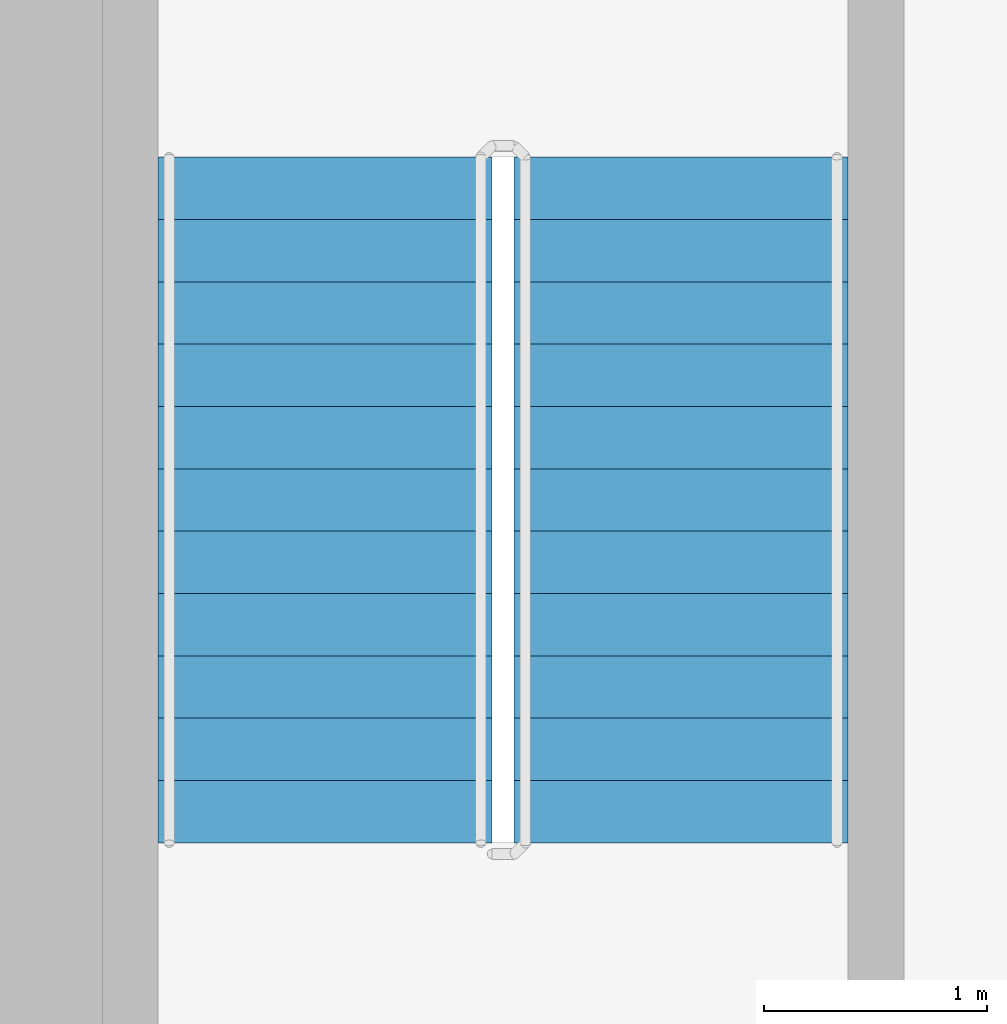
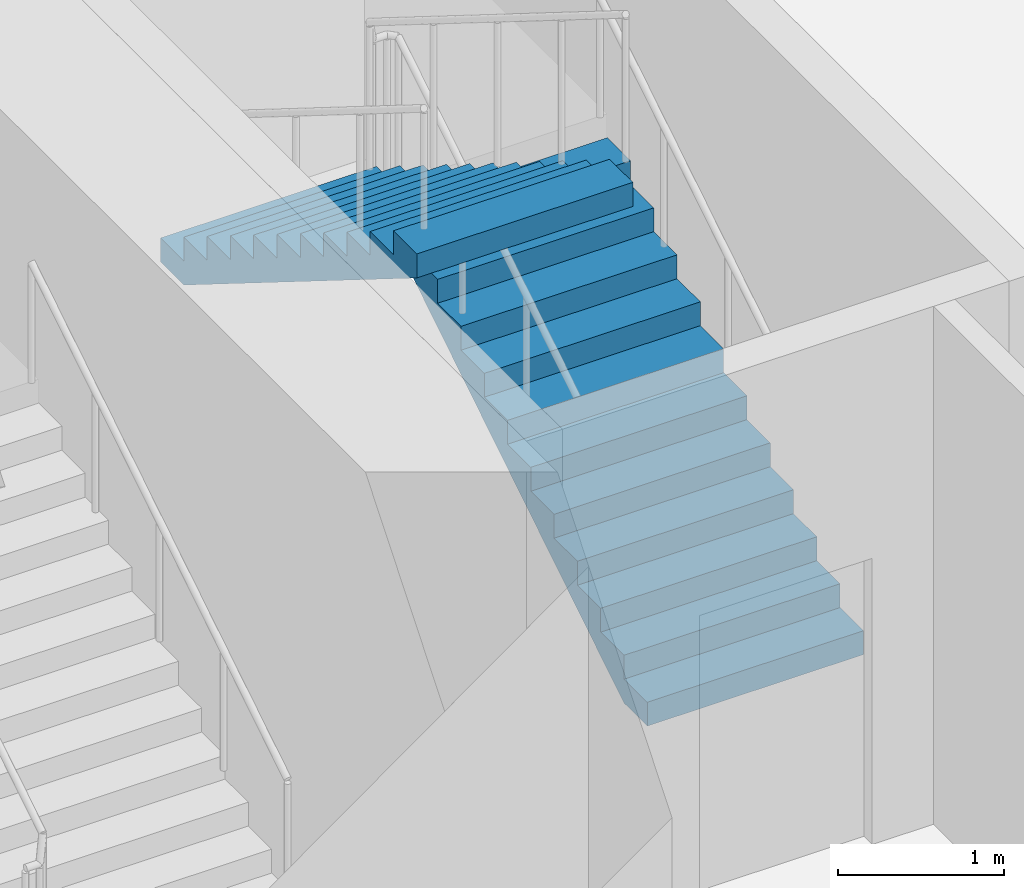
# One storey, part 7 of 10: 2 stair flights, 1 element without a shape of its own.
"""IFC4 building model written with IfcOpenShell, lengths in metres."""

from ifc_helpers import new_model, si_unit, direction, frame, origin, place, context, subcontext, project, spatial, triangles, source, transform, mapped, material, type_object, element, aggregate, save


model = new_model("IFC4")

# Units and contexts
model_context = context("Model", 3, precision=1e-05, world=origin(), true_north=direction((0.0, 1.0)))
body_context = subcontext(model_context, "Body", "Model", "MODEL_VIEW")
ifc_project = project(units=[si_unit("LENGTHUNIT", "METRE"), si_unit("AREAUNIT", "SQUARE_METRE"), si_unit("VOLUMEUNIT", "CUBIC_METRE"), si_unit("PLANEANGLEUNIT", "RADIAN"), si_unit("MASSUNIT", "GRAM", prefix="KILO")], contexts=[model_context])

# Site, building, storey
site_placement = place(None, origin())
site = spatial("IfcSite", under=ifc_project, at=site_placement, CompositionType="ELEMENT")
building_placement = place(site_placement, origin())
building = spatial("IfcBuilding", under=site, at=building_placement, Name="Kilnfold Tower and Market Hall", CompositionType="ELEMENT")
storey_placement = place(building_placement, frame((0.0, 0.0, 59.0)))
storey = spatial("IfcBuildingStorey", under=building, at=storey_placement, Name="L13 Plant Transfer Level", CompositionType="ELEMENT", Elevation=59.0)

# Stair, stair flights
ifc_material_1 = material(Name="Concrete C40/50", Category="concrete")
stair_type = type_object("IfcStairType", Name="CORE STAIR 1500", PredefinedType="HALF_TURN_STAIR", material=ifc_material_1)
stair_placement = place(storey_placement, origin())
stair = element("IfcStair", 1, at=stair_placement, inside=storey, type_object=stair_type, Name="L13 Plant Transfer Level ST5", PredefinedType="HALF_TURN_STAIR")
ifc_material_2 = material(Name="Concrete C40/50", Category="concrete")
stair_flight_type = type_object("IfcStairFlightType", Name="CORE STAIR FLIGHT 1500", PredefinedType="STRAIGHT", material=ifc_material_2)
shared_shape = source(origin(), body_context, "Body", "Tessellation", [
    triangles([(0.0, 0.75, 0.0), (0.0, 0.65625, 0.0), (0.0, 0.5625, 0.0), (0.0, 0.46875, 0.0), (0.0, 0.375, 0.0), (0.0, 0.28125, 0.0), (0.0, 0.1875, 0.0), (0.0, 0.09375, 0.0), (0.0, 0.0, 0.0), (0.0, -0.09375, 0.0), (0.0, -0.1875, 0.0), (0.0, -0.28125, 0.0), (0.0, -0.375, 0.0), (0.0, -0.46875, 0.0), (0.0, -0.5625, 0.0), (0.0, -0.65625, 0.0), (0.0, -0.75, 0.0), (0.0, 0.75, 0.175048828125), (0.0, 0.65625, 0.175048828125), (0.0, 0.5625, 0.175048828125), (0.0, 0.46875, 0.175048828125), (0.0, 0.375, 0.175048828125), (0.0, 0.28125, 0.175048828125), (0.0, 0.1875, 0.175048828125), (0.0, 0.09375, 0.175048828125), (0.0, 0.0, 0.175048828125), (0.0, -0.09375, 0.175048828125), (0.0, -0.1875, 0.175048828125), (0.0, -0.28125, 0.175048828125), (0.0, -0.375, 0.175048828125), (0.0, -0.46875, 0.175048828125), (0.0, -0.5625, 0.175048828125), (0.0, -0.65625, 0.175048828125), (0.0, -0.75, 0.175048828125), (0.280029296875, 0.75, 0.175048828125), (0.280029296875, 0.65625, 0.175048828125), (0.280029296875, 0.5625, 0.175048828125), (0.280029296875, 0.46875, 0.175048828125), (0.280029296875, 0.375, 0.175048828125), (0.280029296875, 0.28125, 0.175048828125), (0.280029296875, 0.1875, 0.175048828125), (0.280029296875, 0.09375, 0.175048828125), (0.280029296875, 0.0, 0.175048828125), (0.280029296875, -0.09375, 0.175048828125), (0.280029296875, -0.1875, 0.175048828125), (0.280029296875, -0.28125, 0.175048828125), (0.280029296875, -0.375, 0.175048828125), (0.280029296875, -0.46875, 0.175048828125), (0.280029296875, -0.5625, 0.175048828125), (0.280029296875, -0.65625, 0.175048828125), (0.280029296875, -0.75, 0.175048828125), (0.280029296875, 0.75, 0.35009765625), (0.280029296875, 0.65625, 0.35009765625), (0.280029296875, 0.5625, 0.35009765625), (0.280029296875, 0.46875, 0.35009765625), (0.280029296875, 0.375, 0.35009765625), (0.280029296875, 0.28125, 0.35009765625), (0.280029296875, 0.1875, 0.35009765625), (0.280029296875, 0.09375, 0.35009765625), (0.280029296875, 0.0, 0.35009765625), (0.280029296875, -0.09375, 0.35009765625), (0.280029296875, -0.1875, 0.35009765625), (0.280029296875, -0.28125, 0.35009765625), (0.280029296875, -0.375, 0.35009765625), (0.280029296875, -0.46875, 0.35009765625), (0.280029296875, -0.5625, 0.35009765625), (0.280029296875, -0.65625, 0.35009765625), (0.280029296875, -0.75, 0.35009765625), (0.56005859375, 0.75, 0.35009765625), (0.56005859375, 0.65625, 0.35009765625), (0.56005859375, 0.5625, 0.35009765625), (0.56005859375, 0.46875, 0.35009765625), (0.56005859375, 0.375, 0.35009765625), (0.56005859375, 0.28125, 0.35009765625), (0.56005859375, 0.1875, 0.35009765625), (0.56005859375, 0.09375, 0.35009765625), (0.56005859375, 0.0, 0.35009765625), (0.56005859375, -0.09375, 0.35009765625), (0.56005859375, -0.1875, 0.35009765625), (0.56005859375, -0.28125, 0.35009765625), (0.56005859375, -0.375, 0.35009765625), (0.56005859375, -0.46875, 0.35009765625), (0.56005859375, -0.5625, 0.35009765625), (0.56005859375, -0.65625, 0.35009765625), (0.56005859375, -0.75, 0.35009765625), (0.56005859375, 0.75, 0.52490234375), (0.56005859375, 0.65625, 0.52490234375), (0.56005859375, 0.5625, 0.52490234375), (0.56005859375, 0.46875, 0.52490234375), (0.56005859375, 0.375, 0.52490234375), (0.56005859375, 0.28125, 0.52490234375), (0.56005859375, 0.1875, 0.52490234375), (0.56005859375, 0.09375, 0.52490234375), (0.56005859375, 0.0, 0.52490234375), (0.56005859375, -0.09375, 0.52490234375), (0.56005859375, -0.1875, 0.52490234375), (0.56005859375, -0.28125, 0.52490234375), (0.56005859375, -0.375, 0.52490234375), (0.56005859375, -0.46875, 0.52490234375), (0.56005859375, -0.5625, 0.52490234375), (0.56005859375, -0.65625, 0.52490234375), (0.56005859375, -0.75, 0.52490234375), (0.840087890625, 0.75, 0.52490234375), (0.840087890625, 0.65625, 0.52490234375), (0.840087890625, 0.5625, 0.52490234375), (0.840087890625, 0.46875, 0.52490234375), (0.840087890625, 0.375, 0.52490234375), (0.840087890625, 0.28125, 0.52490234375), (0.840087890625, 0.1875, 0.52490234375), (0.840087890625, 0.09375, 0.52490234375), (0.840087890625, 0.0, 0.52490234375), (0.840087890625, -0.09375, 0.52490234375), (0.840087890625, -0.1875, 0.52490234375), (0.840087890625, -0.28125, 0.52490234375), (0.840087890625, -0.375, 0.52490234375), (0.840087890625, -0.46875, 0.52490234375), (0.840087890625, -0.5625, 0.52490234375), (0.840087890625, -0.65625, 0.52490234375), (0.840087890625, -0.75, 0.52490234375), (0.840087890625, 0.75, 0.699951171875), (0.840087890625, 0.65625, 0.699951171875), (0.840087890625, 0.5625, 0.699951171875), (0.840087890625, 0.46875, 0.699951171875), (0.840087890625, 0.375, 0.699951171875), (0.840087890625, 0.28125, 0.699951171875), (0.840087890625, 0.1875, 0.699951171875), (0.840087890625, 0.09375, 0.699951171875), (0.840087890625, 0.0, 0.699951171875), (0.840087890625, -0.09375, 0.699951171875), (0.840087890625, -0.1875, 0.699951171875), (0.840087890625, -0.28125, 0.699951171875), (0.840087890625, -0.375, 0.699951171875), (0.840087890625, -0.46875, 0.699951171875), (0.840087890625, -0.5625, 0.699951171875), (0.840087890625, -0.65625, 0.699951171875), (0.840087890625, -0.75, 0.699951171875), (1.1201171875, 0.75, 0.699951171875), (1.1201171875, 0.65625, 0.699951171875), (1.1201171875, 0.5625, 0.699951171875), (1.1201171875, 0.46875, 0.699951171875), (1.1201171875, 0.375, 0.699951171875), (1.1201171875, 0.28125, 0.699951171875), (1.1201171875, 0.1875, 0.699951171875), (1.1201171875, 0.09375, 0.699951171875), (1.1201171875, 0.0, 0.699951171875), (1.1201171875, -0.09375, 0.699951171875), (1.1201171875, -0.1875, 0.699951171875), (1.1201171875, -0.28125, 0.699951171875), (1.1201171875, -0.375, 0.699951171875), (1.1201171875, -0.46875, 0.699951171875), (1.1201171875, -0.5625, 0.699951171875), (1.1201171875, -0.65625, 0.699951171875), (1.1201171875, -0.75, 0.699951171875), (1.1201171875, 0.75, 0.875), (1.1201171875, 0.65625, 0.875), (1.1201171875, 0.5625, 0.875), (1.1201171875, 0.46875, 0.875), (1.1201171875, 0.375, 0.875), (1.1201171875, 0.28125, 0.875), (1.1201171875, 0.1875, 0.875), (1.1201171875, 0.09375, 0.875), (1.1201171875, 0.0, 0.875), (1.1201171875, -0.09375, 0.875), (1.1201171875, -0.1875, 0.875), (1.1201171875, -0.28125, 0.875), (1.1201171875, -0.375, 0.875), (1.1201171875, -0.46875, 0.875), (1.1201171875, -0.5625, 0.875), (1.1201171875, -0.65625, 0.875), (1.1201171875, -0.75, 0.875), (1.39990234375, 0.75, 0.875), (1.39990234375, 0.65625, 0.875), (1.39990234375, 0.5625, 0.875), (1.39990234375, 0.46875, 0.875), (1.39990234375, 0.375, 0.875), (1.39990234375, 0.28125, 0.875), (1.39990234375, 0.1875, 0.875), (1.39990234375, 0.09375, 0.875), (1.39990234375, 0.0, 0.875), (1.39990234375, -0.09375, 0.875), (1.39990234375, -0.1875, 0.875), (1.39990234375, -0.28125, 0.875), (1.39990234375, -0.375, 0.875), (1.39990234375, -0.46875, 0.875), (1.39990234375, -0.5625, 0.875), (1.39990234375, -0.65625, 0.875), (1.39990234375, -0.75, 0.875), (1.39990234375, 0.75, 1.050048828125), (1.39990234375, 0.65625, 1.050048828125), (1.39990234375, 0.5625, 1.050048828125), (1.39990234375, 0.46875, 1.050048828125), (1.39990234375, 0.375, 1.050048828125), (1.39990234375, 0.28125, 1.050048828125), (1.39990234375, 0.1875, 1.050048828125), (1.39990234375, 0.09375, 1.050048828125), (1.39990234375, 0.0, 1.050048828125), (1.39990234375, -0.09375, 1.050048828125), (1.39990234375, -0.1875, 1.050048828125), (1.39990234375, -0.28125, 1.050048828125), (1.39990234375, -0.375, 1.050048828125), (1.39990234375, -0.46875, 1.050048828125), (1.39990234375, -0.5625, 1.050048828125), (1.39990234375, -0.65625, 1.050048828125), (1.39990234375, -0.75, 1.050048828125), (1.679931640625, 0.75, 1.050048828125), (1.679931640625, 0.65625, 1.050048828125), (1.679931640625, 0.5625, 1.050048828125), (1.679931640625, 0.46875, 1.050048828125), (1.679931640625, 0.375, 1.050048828125), (1.679931640625, 0.28125, 1.050048828125), (1.679931640625, 0.1875, 1.050048828125), (1.679931640625, 0.09375, 1.050048828125), (1.679931640625, 0.0, 1.050048828125), (1.679931640625, -0.09375, 1.050048828125), (1.679931640625, -0.1875, 1.050048828125), (1.679931640625, -0.28125, 1.050048828125), (1.679931640625, -0.375, 1.050048828125), (1.679931640625, -0.46875, 1.050048828125), (1.679931640625, -0.5625, 1.050048828125), (1.679931640625, -0.65625, 1.050048828125), (1.679931640625, -0.75, 1.050048828125), (1.679931640625, 0.75, 1.22509765625), (1.679931640625, 0.65625, 1.22509765625), (1.679931640625, 0.5625, 1.22509765625), (1.679931640625, 0.46875, 1.22509765625), (1.679931640625, 0.375, 1.22509765625), (1.679931640625, 0.28125, 1.22509765625), (1.679931640625, 0.1875, 1.22509765625), (1.679931640625, 0.09375, 1.22509765625), (1.679931640625, 0.0, 1.22509765625), (1.679931640625, -0.09375, 1.22509765625), (1.679931640625, -0.1875, 1.22509765625), (1.679931640625, -0.28125, 1.22509765625), (1.679931640625, -0.375, 1.22509765625), (1.679931640625, -0.46875, 1.22509765625), (1.679931640625, -0.5625, 1.22509765625), (1.679931640625, -0.65625, 1.22509765625), (1.679931640625, -0.75, 1.22509765625), (1.9599609375, 0.75, 1.22509765625), (1.9599609375, 0.65625, 1.22509765625), (1.9599609375, 0.5625, 1.22509765625), (1.9599609375, 0.46875, 1.22509765625), (1.9599609375, 0.375, 1.22509765625), (1.9599609375, 0.28125, 1.22509765625), (1.9599609375, 0.1875, 1.22509765625), (1.9599609375, 0.09375, 1.22509765625), (1.9599609375, 0.0, 1.22509765625), (1.9599609375, -0.09375, 1.22509765625), (1.9599609375, -0.1875, 1.22509765625), (1.9599609375, -0.28125, 1.22509765625), (1.9599609375, -0.375, 1.22509765625), (1.9599609375, -0.46875, 1.22509765625), (1.9599609375, -0.5625, 1.22509765625), (1.9599609375, -0.65625, 1.22509765625), (1.9599609375, -0.75, 1.22509765625), (1.9599609375, 0.75, 1.39990234375), (1.9599609375, 0.65625, 1.39990234375), (1.9599609375, 0.5625, 1.39990234375), (1.9599609375, 0.46875, 1.39990234375), (1.9599609375, 0.375, 1.39990234375), (1.9599609375, 0.28125, 1.39990234375), (1.9599609375, 0.1875, 1.39990234375), (1.9599609375, 0.09375, 1.39990234375), (1.9599609375, 0.0, 1.39990234375), (1.9599609375, -0.09375, 1.39990234375), (1.9599609375, -0.1875, 1.39990234375), (1.9599609375, -0.28125, 1.39990234375), (1.9599609375, -0.375, 1.39990234375), (1.9599609375, -0.46875, 1.39990234375), (1.9599609375, -0.5625, 1.39990234375), (1.9599609375, -0.65625, 1.39990234375), (1.9599609375, -0.75, 1.39990234375), (2.239990234375, 0.75, 1.39990234375), (2.239990234375, 0.65625, 1.39990234375), (2.239990234375, 0.5625, 1.39990234375), (2.239990234375, 0.46875, 1.39990234375), (2.239990234375, 0.375, 1.39990234375), (2.239990234375, 0.28125, 1.39990234375), (2.239990234375, 0.1875, 1.39990234375), (2.239990234375, 0.09375, 1.39990234375), (2.239990234375, 0.0, 1.39990234375), (2.239990234375, -0.09375, 1.39990234375), (2.239990234375, -0.1875, 1.39990234375), (2.239990234375, -0.28125, 1.39990234375), (2.239990234375, -0.375, 1.39990234375), (2.239990234375, -0.46875, 1.39990234375), (2.239990234375, -0.5625, 1.39990234375), (2.239990234375, -0.65625, 1.39990234375), (2.239990234375, -0.75, 1.39990234375), (2.239990234375, 0.75, 1.574951171875), (2.239990234375, 0.65625, 1.574951171875), (2.239990234375, 0.5625, 1.574951171875), (2.239990234375, 0.46875, 1.574951171875), (2.239990234375, 0.375, 1.574951171875), (2.239990234375, 0.28125, 1.574951171875), (2.239990234375, 0.1875, 1.574951171875), (2.239990234375, 0.09375, 1.574951171875), (2.239990234375, 0.0, 1.574951171875), (2.239990234375, -0.09375, 1.574951171875), (2.239990234375, -0.1875, 1.574951171875), (2.239990234375, -0.28125, 1.574951171875), (2.239990234375, -0.375, 1.574951171875), (2.239990234375, -0.46875, 1.574951171875), (2.239990234375, -0.5625, 1.574951171875), (2.239990234375, -0.65625, 1.574951171875), (2.239990234375, -0.75, 1.574951171875), (2.52001953125, 0.75, 1.574951171875), (2.52001953125, 0.65625, 1.574951171875), (2.52001953125, 0.5625, 1.574951171875), (2.52001953125, 0.46875, 1.574951171875), (2.52001953125, 0.375, 1.574951171875), (2.52001953125, 0.28125, 1.574951171875), (2.52001953125, 0.1875, 1.574951171875), (2.52001953125, 0.09375, 1.574951171875), (2.52001953125, 0.0, 1.574951171875), (2.52001953125, -0.09375, 1.574951171875), (2.52001953125, -0.1875, 1.574951171875), (2.52001953125, -0.28125, 1.574951171875), (2.52001953125, -0.375, 1.574951171875), (2.52001953125, -0.46875, 1.574951171875), (2.52001953125, -0.5625, 1.574951171875), (2.52001953125, -0.65625, 1.574951171875), (2.52001953125, -0.75, 1.574951171875), (2.52001953125, 0.75, 1.75), (2.52001953125, 0.65625, 1.75), (2.52001953125, 0.5625, 1.75), (2.52001953125, 0.46875, 1.75), (2.52001953125, 0.375, 1.75), (2.52001953125, 0.28125, 1.75), (2.52001953125, 0.1875, 1.75), (2.52001953125, 0.09375, 1.75), (2.52001953125, 0.0, 1.75), (2.52001953125, -0.09375, 1.75), (2.52001953125, -0.1875, 1.75), (2.52001953125, -0.28125, 1.75), (2.52001953125, -0.375, 1.75), (2.52001953125, -0.46875, 1.75), (2.52001953125, -0.5625, 1.75), (2.52001953125, -0.65625, 1.75), (2.52001953125, -0.75, 1.75), (2.800048828125, 0.75, 1.75), (2.800048828125, 0.65625, 1.75), (2.800048828125, 0.5625, 1.75), (2.800048828125, 0.46875, 1.75), (2.800048828125, 0.375, 1.75), (2.800048828125, 0.28125, 1.75), (2.800048828125, 0.1875, 1.75), (2.800048828125, 0.09375, 1.75), (2.800048828125, 0.0, 1.75), (2.800048828125, -0.09375, 1.75), (2.800048828125, -0.1875, 1.75), (2.800048828125, -0.28125, 1.75), (2.800048828125, -0.375, 1.75), (2.800048828125, -0.46875, 1.75), (2.800048828125, -0.5625, 1.75), (2.800048828125, -0.65625, 1.75), (2.800048828125, -0.75, 1.75), (2.800048828125, 0.75, 1.925048828125), (2.800048828125, 0.65625, 1.925048828125), (2.800048828125, 0.5625, 1.925048828125), (2.800048828125, 0.46875, 1.925048828125), (2.800048828125, 0.375, 1.925048828125), (2.800048828125, 0.28125, 1.925048828125), (2.800048828125, 0.1875, 1.925048828125), (2.800048828125, 0.09375, 1.925048828125), (2.800048828125, 0.0, 1.925048828125), (2.800048828125, -0.09375, 1.925048828125), (2.800048828125, -0.1875, 1.925048828125), (2.800048828125, -0.28125, 1.925048828125), (2.800048828125, -0.375, 1.925048828125), (2.800048828125, -0.46875, 1.925048828125), (2.800048828125, -0.5625, 1.925048828125), (2.800048828125, -0.65625, 1.925048828125), (2.800048828125, -0.75, 1.925048828125), (3.080078125, 0.75, 1.925048828125), (3.080078125, 0.65625, 1.925048828125), (3.080078125, 0.5625, 1.925048828125), (3.080078125, 0.46875, 1.925048828125), (3.080078125, 0.375, 1.925048828125), (3.080078125, 0.28125, 1.925048828125), (3.080078125, 0.1875, 1.925048828125), (3.080078125, 0.09375, 1.925048828125), (3.080078125, 0.0, 1.925048828125), (3.080078125, -0.09375, 1.925048828125), (3.080078125, -0.1875, 1.925048828125), (3.080078125, -0.28125, 1.925048828125), (3.080078125, -0.375, 1.925048828125), (3.080078125, -0.46875, 1.925048828125), (3.080078125, -0.5625, 1.925048828125), (3.080078125, -0.65625, 1.925048828125), (3.080078125, -0.75, 1.925048828125), (3.080078125, 0.75, 1.748291015625), (3.080078125, 0.65625, 1.748291015625), (3.080078125, 0.5625, 1.748291015625), (3.080078125, 0.46875, 1.748291015625), (3.080078125, 0.375, 1.748291015625), (3.080078125, 0.28125, 1.748291015625), (3.080078125, 0.1875, 1.748291015625), (3.080078125, 0.09375, 1.748291015625), (3.080078125, 0.0, 1.748291015625), (3.080078125, -0.09375, 1.748291015625), (3.080078125, -0.1875, 1.748291015625), (3.080078125, -0.28125, 1.748291015625), (3.080078125, -0.375, 1.748291015625), (3.080078125, -0.46875, 1.748291015625), (3.080078125, -0.5625, 1.748291015625), (3.080078125, -0.65625, 1.748291015625), (3.080078125, -0.75, 1.748291015625), (0.28271484375, 0.75, 0.0), (0.28271484375, 0.65625, 0.0), (0.28271484375, 0.5625, 0.0), (0.28271484375, 0.46875, 0.0), (0.28271484375, 0.375, 0.0), (0.28271484375, 0.28125, 0.0), (0.28271484375, 0.1875, 0.0), (0.28271484375, 0.09375, 0.0), (0.28271484375, 0.0, 0.0), (0.28271484375, -0.09375, 0.0), (0.28271484375, -0.1875, 0.0), (0.28271484375, -0.28125, 0.0), (0.28271484375, -0.375, 0.0), (0.28271484375, -0.46875, 0.0), (0.28271484375, -0.5625, 0.0), (0.28271484375, -0.65625, 0.0), (0.28271484375, -0.75, 0.0)], [[1, 392, 409], [17, 425, 408], [392, 358, 375], [408, 391, 374], [392, 341, 358], [408, 374, 357], [392, 324, 341], [408, 357, 340], [392, 307, 324], [408, 340, 323], [307, 273, 290], [323, 306, 289], [392, 273, 307], [408, 323, 289], [273, 239, 256], [289, 272, 255], [392, 239, 273], [408, 289, 255], [239, 205, 222], [255, 238, 221], [392, 205, 239], [408, 255, 221], [205, 171, 188], [221, 204, 187], [392, 171, 205], [408, 221, 187], [171, 137, 154], [187, 170, 153], [392, 137, 171], [408, 187, 153], [137, 103, 120], [153, 136, 119], [392, 103, 137], [408, 153, 119], [1, 103, 392], [17, 408, 119], [103, 69, 86], [119, 102, 85], [69, 35, 52], [85, 68, 51], [103, 35, 69], [119, 85, 51], [1, 35, 103], [17, 119, 51], [35, 1, 18], [51, 34, 17], [1, 19, 18], [1, 2, 19], [2, 20, 19], [2, 3, 20], [3, 21, 20], [3, 4, 21], [4, 22, 21], [4, 5, 22], [5, 23, 22], [5, 6, 23], [6, 24, 23], [6, 7, 24], [7, 25, 24], [7, 8, 25], [8, 26, 25], [8, 9, 26], [9, 27, 26], [9, 10, 27], [10, 28, 27], [10, 11, 28], [11, 29, 28], [11, 12, 29], [12, 30, 29], [12, 13, 30], [13, 31, 30], [13, 14, 31], [14, 32, 31], [14, 15, 32], [15, 33, 32], [15, 16, 33], [16, 34, 33], [16, 17, 34], [18, 36, 35], [18, 19, 36], [19, 37, 36], [19, 20, 37], [20, 38, 37], [20, 21, 38], [21, 39, 38], [21, 22, 39], [22, 40, 39], [22, 23, 40], [23, 41, 40], [23, 24, 41], [24, 42, 41], [24, 25, 42], [25, 43, 42], [25, 26, 43], [26, 44, 43], [26, 27, 44], [27, 45, 44], [27, 28, 45], [28, 46, 45], [28, 29, 46], [29, 47, 46], [29, 30, 47], [30, 48, 47], [30, 31, 48], [31, 49, 48], [31, 32, 49], [32, 50, 49], [32, 33, 50], [33, 51, 50], [33, 34, 51], [35, 53, 52], [35, 36, 53], [36, 54, 53], [36, 37, 54], [37, 55, 54], [37, 38, 55], [38, 56, 55], [38, 39, 56], [39, 57, 56], [39, 40, 57], [40, 58, 57], [40, 41, 58], [41, 59, 58], [41, 42, 59], [42, 60, 59], [42, 43, 60], [43, 61, 60], [43, 44, 61], [44, 62, 61], [44, 45, 62], [45, 63, 62], [45, 46, 63], [46, 64, 63], [46, 47, 64], [47, 65, 64], [47, 48, 65], [48, 66, 65], [48, 49, 66], [49, 67, 66], [49, 50, 67], [50, 68, 67], [50, 51, 68], [52, 70, 69], [52, 53, 70], [53, 71, 70], [53, 54, 71], [54, 72, 71], [54, 55, 72], [55, 73, 72], [55, 56, 73], [56, 74, 73], [56, 57, 74], [57, 75, 74], [57, 58, 75], [58, 76, 75], [58, 59, 76], [59, 77, 76], [59, 60, 77], [60, 78, 77], [60, 61, 78], [61, 79, 78], [61, 62, 79], [62, 80, 79], [62, 63, 80], [63, 81, 80], [63, 64, 81], [64, 82, 81], [64, 65, 82], [65, 83, 82], [65, 66, 83], [66, 84, 83], [66, 67, 84], [67, 85, 84], [67, 68, 85], [69, 87, 86], [69, 70, 87], [70, 88, 87], [70, 71, 88], [71, 89, 88], [71, 72, 89], [72, 90, 89], [72, 73, 90], [73, 91, 90], [73, 74, 91], [74, 92, 91], [74, 75, 92], [75, 93, 92], [75, 76, 93], [76, 94, 93], [76, 77, 94], [77, 95, 94], [77, 78, 95], [78, 96, 95], [78, 79, 96], [79, 97, 96], [79, 80, 97], [80, 98, 97], [80, 81, 98], [81, 99, 98], [81, 82, 99], [82, 100, 99], [82, 83, 100], [83, 101, 100], [83, 84, 101], [84, 102, 101], [84, 85, 102], [86, 104, 103], [86, 87, 104], [87, 105, 104], [87, 88, 105], [88, 106, 105], [88, 89, 106], [89, 107, 106], [89, 90, 107], [90, 108, 107], [90, 91, 108], [91, 109, 108], [91, 92, 109], [92, 110, 109], [92, 93, 110], [93, 111, 110], [93, 94, 111], [94, 112, 111], [94, 95, 112], [95, 113, 112], [95, 96, 113], [96, 114, 113], [96, 97, 114], [97, 115, 114], [97, 98, 115], [98, 116, 115], [98, 99, 116], [99, 117, 116], [99, 100, 117], [100, 118, 117], [100, 101, 118], [101, 119, 118], [101, 102, 119], [103, 121, 120], [103, 104, 121], [104, 122, 121], [104, 105, 122], [105, 123, 122], [105, 106, 123], [106, 124, 123], [106, 107, 124], [107, 125, 124], [107, 108, 125], [108, 126, 125], [108, 109, 126], [109, 127, 126], [109, 110, 127], [110, 128, 127], [110, 111, 128], [111, 129, 128], [111, 112, 129], [112, 130, 129], [112, 113, 130], [113, 131, 130], [113, 114, 131], [114, 132, 131], [114, 115, 132], [115, 133, 132], [115, 116, 133], [116, 134, 133], [116, 117, 134], [117, 135, 134], [117, 118, 135], [118, 136, 135], [118, 119, 136], [120, 138, 137], [120, 121, 138], [121, 139, 138], [121, 122, 139], [122, 140, 139], [122, 123, 140], [123, 141, 140], [123, 124, 141], [124, 142, 141], [124, 125, 142], [125, 143, 142], [125, 126, 143], [126, 144, 143], [126, 127, 144], [127, 145, 144], [127, 128, 145], [128, 146, 145], [128, 129, 146], [129, 147, 146], [129, 130, 147], [130, 148, 147], [130, 131, 148], [131, 149, 148], [131, 132, 149], [132, 150, 149], [132, 133, 150], [133, 151, 150], [133, 134, 151], [134, 152, 151], [134, 135, 152], [135, 153, 152], [135, 136, 153], [137, 155, 154], [137, 138, 155], [138, 156, 155], [138, 139, 156], [139, 157, 156], [139, 140, 157], [140, 158, 157], [140, 141, 158], [141, 159, 158], [141, 142, 159], [142, 160, 159], [142, 143, 160], [143, 161, 160], [143, 144, 161], [144, 162, 161], [144, 145, 162], [145, 163, 162], [145, 146, 163], [146, 164, 163], [146, 147, 164], [147, 165, 164], [147, 148, 165], [148, 166, 165], [148, 149, 166], [149, 167, 166], [149, 150, 167], [150, 168, 167], [150, 151, 168], [151, 169, 168], [151, 152, 169], [152, 170, 169], [152, 153, 170], [154, 172, 171], [154, 155, 172], [155, 173, 172], [155, 156, 173], [156, 174, 173], [156, 157, 174], [157, 175, 174], [157, 158, 175], [158, 176, 175], [158, 159, 176], [159, 177, 176], [159, 160, 177], [160, 178, 177], [160, 161, 178], [161, 179, 178], [161, 162, 179], [162, 180, 179], [162, 163, 180], [163, 181, 180], [163, 164, 181], [164, 182, 181], [164, 165, 182], [165, 183, 182], [165, 166, 183], [166, 184, 183], [166, 167, 184], [167, 185, 184], [167, 168, 185], [168, 186, 185], [168, 169, 186], [169, 187, 186], [169, 170, 187], [171, 189, 188], [171, 172, 189], [172, 190, 189], [172, 173, 190], [173, 191, 190], [173, 174, 191], [174, 192, 191], [174, 175, 192], [175, 193, 192], [175, 176, 193], [176, 194, 193], [176, 177, 194], [177, 195, 194], [177, 178, 195], [178, 196, 195], [178, 179, 196], [179, 197, 196], [179, 180, 197], [180, 198, 197], [180, 181, 198], [181, 199, 198], [181, 182, 199], [182, 200, 199], [182, 183, 200], [183, 201, 200], [183, 184, 201], [184, 202, 201], [184, 185, 202], [185, 203, 202], [185, 186, 203], [186, 204, 203], [186, 187, 204], [188, 206, 205], [188, 189, 206], [189, 207, 206], [189, 190, 207], [190, 208, 207], [190, 191, 208], [191, 209, 208], [191, 192, 209], [192, 210, 209], [192, 193, 210], [193, 211, 210], [193, 194, 211], [194, 212, 211], [194, 195, 212], [195, 213, 212], [195, 196, 213], [196, 214, 213], [196, 197, 214], [197, 215, 214], [197, 198, 215], [198, 216, 215], [198, 199, 216], [199, 217, 216], [199, 200, 217], [200, 218, 217], [200, 201, 218], [201, 219, 218], [201, 202, 219], [202, 220, 219], [202, 203, 220], [203, 221, 220], [203, 204, 221], [205, 223, 222], [205, 206, 223], [206, 224, 223], [206, 207, 224], [207, 225, 224], [207, 208, 225], [208, 226, 225], [208, 209, 226], [209, 227, 226], [209, 210, 227], [210, 228, 227], [210, 211, 228], [211, 229, 228], [211, 212, 229], [212, 230, 229], [212, 213, 230], [213, 231, 230], [213, 214, 231], [214, 232, 231], [214, 215, 232], [215, 233, 232], [215, 216, 233], [216, 234, 233], [216, 217, 234], [217, 235, 234], [217, 218, 235], [218, 236, 235], [218, 219, 236], [219, 237, 236], [219, 220, 237], [220, 238, 237], [220, 221, 238], [222, 240, 239], [222, 223, 240], [223, 241, 240], [223, 224, 241], [224, 242, 241], [224, 225, 242], [225, 243, 242], [225, 226, 243], [226, 244, 243], [226, 227, 244], [227, 245, 244], [227, 228, 245], [228, 246, 245], [228, 229, 246], [229, 247, 246], [229, 230, 247], [230, 248, 247], [230, 231, 248], [231, 249, 248], [231, 232, 249], [232, 250, 249], [232, 233, 250], [233, 251, 250], [233, 234, 251], [234, 252, 251], [234, 235, 252], [235, 253, 252], [235, 236, 253], [236, 254, 253], [236, 237, 254], [237, 255, 254], [237, 238, 255], [239, 257, 256], [239, 240, 257], [240, 258, 257], [240, 241, 258], [241, 259, 258], [241, 242, 259], [242, 260, 259], [242, 243, 260], [243, 261, 260], [243, 244, 261], [244, 262, 261], [244, 245, 262], [245, 263, 262], [245, 246, 263], [246, 264, 263], [246, 247, 264], [247, 265, 264], [247, 248, 265], [248, 266, 265], [248, 249, 266], [249, 267, 266], [249, 250, 267], [250, 268, 267], [250, 251, 268], [251, 269, 268], [251, 252, 269], [252, 270, 269], [252, 253, 270], [253, 271, 270], [253, 254, 271], [254, 272, 271], [254, 255, 272], [256, 274, 273], [256, 257, 274], [257, 275, 274], [257, 258, 275], [258, 276, 275], [258, 259, 276], [259, 277, 276], [259, 260, 277], [260, 278, 277], [260, 261, 278], [261, 279, 278], [261, 262, 279], [262, 280, 279], [262, 263, 280], [263, 281, 280], [263, 264, 281], [264, 282, 281], [264, 265, 282], [265, 283, 282], [265, 266, 283], [266, 284, 283], [266, 267, 284], [267, 285, 284], [267, 268, 285], [268, 286, 285], [268, 269, 286], [269, 287, 286], [269, 270, 287], [270, 288, 287], [270, 271, 288], [271, 289, 288], [271, 272, 289], [273, 291, 290], [273, 274, 291], [274, 292, 291], [274, 275, 292], [275, 293, 292], [275, 276, 293], [276, 294, 293], [276, 277, 294], [277, 295, 294], [277, 278, 295], [278, 296, 295], [278, 279, 296], [279, 297, 296], [279, 280, 297], [280, 298, 297], [280, 281, 298], [281, 299, 298], [281, 282, 299], [282, 300, 299], [282, 283, 300], [283, 301, 300], [283, 284, 301], [284, 302, 301], [284, 285, 302], [285, 303, 302], [285, 286, 303], [286, 304, 303], [286, 287, 304], [287, 305, 304], [287, 288, 305], [288, 306, 305], [288, 289, 306], [290, 308, 307], [290, 291, 308], [291, 309, 308], [291, 292, 309], [292, 310, 309], [292, 293, 310], [293, 311, 310], [293, 294, 311], [294, 312, 311], [294, 295, 312], [295, 313, 312], [295, 296, 313], [296, 314, 313], [296, 297, 314], [297, 315, 314], [297, 298, 315], [298, 316, 315], [298, 299, 316], [299, 317, 316], [299, 300, 317], [300, 318, 317], [300, 301, 318], [301, 319, 318], [301, 302, 319], [302, 320, 319], [302, 303, 320], [303, 321, 320], [303, 304, 321], [304, 322, 321], [304, 305, 322], [305, 323, 322], [305, 306, 323], [307, 325, 324], [307, 308, 325], [308, 326, 325], [308, 309, 326], [309, 327, 326], [309, 310, 327], [310, 328, 327], [310, 311, 328], [311, 329, 328], [311, 312, 329], [312, 330, 329], [312, 313, 330], [313, 331, 330], [313, 314, 331], [314, 332, 331], [314, 315, 332], [315, 333, 332], [315, 316, 333], [316, 334, 333], [316, 317, 334], [317, 335, 334], [317, 318, 335], [318, 336, 335], [318, 319, 336], [319, 337, 336], [319, 320, 337], [320, 338, 337], [320, 321, 338], [321, 339, 338], [321, 322, 339], [322, 340, 339], [322, 323, 340], [324, 342, 341], [324, 325, 342], [325, 343, 342], [325, 326, 343], [326, 344, 343], [326, 327, 344], [327, 345, 344], [327, 328, 345], [328, 346, 345], [328, 329, 346], [329, 347, 346], [329, 330, 347], [330, 348, 347], [330, 331, 348], [331, 349, 348], [331, 332, 349], [332, 350, 349], [332, 333, 350], [333, 351, 350], [333, 334, 351], [334, 352, 351], [334, 335, 352], [335, 353, 352], [335, 336, 353], [336, 354, 353], [336, 337, 354], [337, 355, 354], [337, 338, 355], [338, 356, 355], [338, 339, 356], [339, 357, 356], [339, 340, 357], [341, 359, 358], [341, 342, 359], [342, 360, 359], [342, 343, 360], [343, 361, 360], [343, 344, 361], [344, 362, 361], [344, 345, 362], [345, 363, 362], [345, 346, 363], [346, 364, 363], [346, 347, 364], [347, 365, 364], [347, 348, 365], [348, 366, 365], [348, 349, 366], [349, 367, 366], [349, 350, 367], [350, 368, 367], [350, 351, 368], [351, 369, 368], [351, 352, 369], [352, 370, 369], [352, 353, 370], [353, 371, 370], [353, 354, 371], [354, 372, 371], [354, 355, 372], [355, 373, 372], [355, 356, 373], [356, 374, 373], [356, 357, 374], [358, 376, 375], [358, 359, 376], [359, 377, 376], [359, 360, 377], [360, 378, 377], [360, 361, 378], [361, 379, 378], [361, 362, 379], [362, 380, 379], [362, 363, 380], [363, 381, 380], [363, 364, 381], [364, 382, 381], [364, 365, 382], [365, 383, 382], [365, 366, 383], [366, 384, 383], [366, 367, 384], [367, 385, 384], [367, 368, 385], [368, 386, 385], [368, 369, 386], [369, 387, 386], [369, 370, 387], [370, 388, 387], [370, 371, 388], [371, 389, 388], [371, 372, 389], [372, 390, 389], [372, 373, 390], [373, 391, 390], [373, 374, 391], [375, 393, 392], [375, 376, 393], [376, 394, 393], [376, 377, 394], [377, 395, 394], [377, 378, 395], [378, 396, 395], [378, 379, 396], [379, 397, 396], [379, 380, 397], [380, 398, 397], [380, 381, 398], [381, 399, 398], [381, 382, 399], [382, 400, 399], [382, 383, 400], [383, 401, 400], [383, 384, 401], [384, 402, 401], [384, 385, 402], [385, 403, 402], [385, 386, 403], [386, 404, 403], [386, 387, 404], [387, 405, 404], [387, 388, 405], [388, 406, 405], [388, 389, 406], [389, 407, 406], [389, 390, 407], [390, 408, 407], [390, 391, 408], [392, 410, 409], [392, 393, 410], [393, 411, 410], [393, 394, 411], [394, 412, 411], [394, 395, 412], [395, 413, 412], [395, 396, 413], [396, 414, 413], [396, 397, 414], [397, 415, 414], [397, 398, 415], [398, 416, 415], [398, 399, 416], [399, 417, 416], [399, 400, 417], [400, 418, 417], [400, 401, 418], [401, 419, 418], [401, 402, 419], [402, 420, 419], [402, 403, 420], [403, 421, 420], [403, 404, 421], [404, 422, 421], [404, 405, 422], [405, 423, 422], [405, 406, 423], [406, 424, 423], [406, 407, 424], [407, 425, 424], [407, 408, 425], [409, 2, 1], [409, 410, 2], [410, 3, 2], [410, 411, 3], [411, 4, 3], [411, 412, 4], [412, 5, 4], [412, 413, 5], [413, 6, 5], [413, 414, 6], [414, 7, 6], [414, 415, 7], [415, 8, 7], [415, 416, 8], [416, 9, 8], [416, 417, 9], [417, 10, 9], [417, 418, 10], [418, 11, 10], [418, 419, 11], [419, 12, 11], [419, 420, 12], [420, 13, 12], [420, 421, 13], [421, 14, 13], [421, 422, 14], [422, 15, 14], [422, 423, 15], [423, 16, 15], [423, 424, 16], [424, 17, 16], [424, 425, 17]], closed=True),
])
stair_flight_1_placement = place(storey_placement, frame((20.699951171875, 11.5, 0.0), z_axis=(0.0, 0.0, 1.0), x_axis=(0.0, 1.0, 0.0)))
stair_flight_1 = element("IfcStairFlight", 2, at=stair_flight_1_placement, type_object=stair_flight_type, Name="ST5 flight 1", NumberOfRisers=12, NumberOfTreads=11, PredefinedType="STRAIGHT", RiserHeight=0.175, TreadLength=0.28, context=body_context, shape_type="MappedRepresentation", body=[
    mapped(shared_shape, transform((0.0, 0.0, 0.0))),
])
stair_flight_2_placement = place(storey_placement, frame((19.10009765625, 14.580078125, 2.10009765625), z_axis=(0.0, 0.0, 1.0), x_axis=(0.0, -1.0, 0.0)))
stair_flight_2 = element("IfcStairFlight", 3, at=stair_flight_2_placement, type_object=stair_flight_type, Name="ST5 flight 2", NumberOfRisers=12, NumberOfTreads=11, PredefinedType="STRAIGHT", RiserHeight=0.175, TreadLength=0.28, context=body_context, shape_type="MappedRepresentation", body=[
    mapped(shared_shape, transform((0.0, 0.0, 0.0))),
])
aggregate(stair, [stair_flight_1, stair_flight_2])

save(model, "model.ifc")
